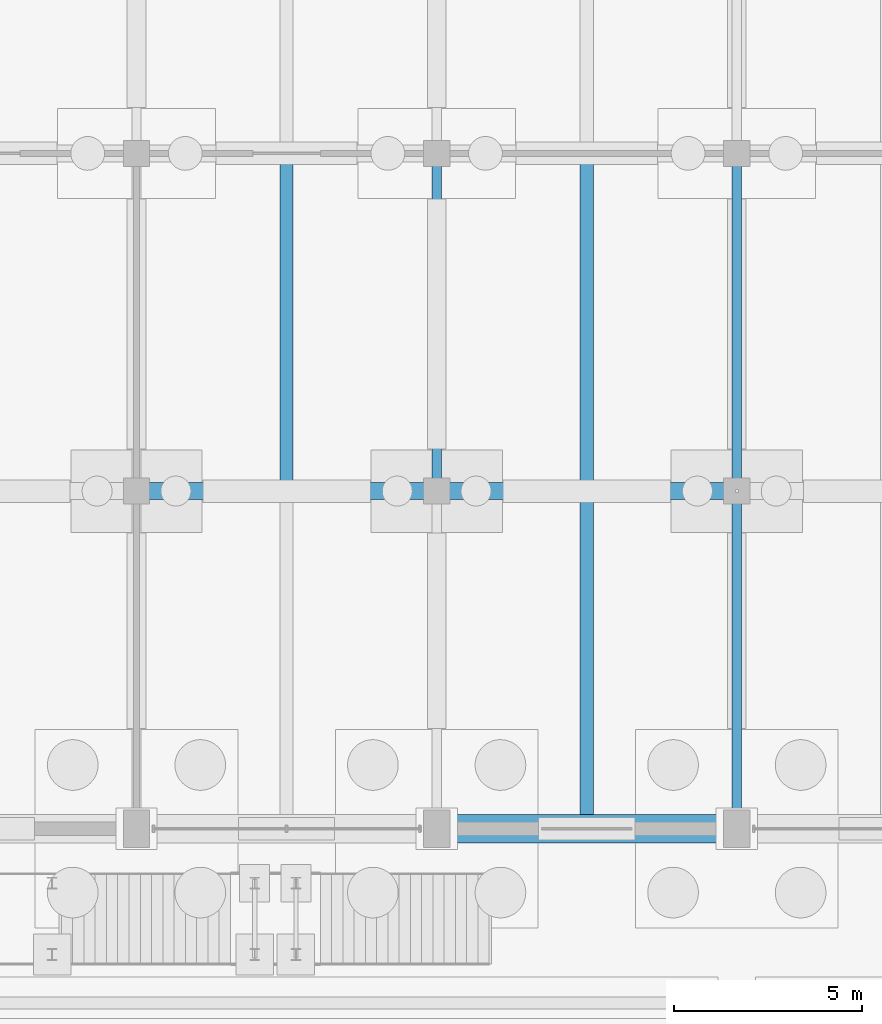
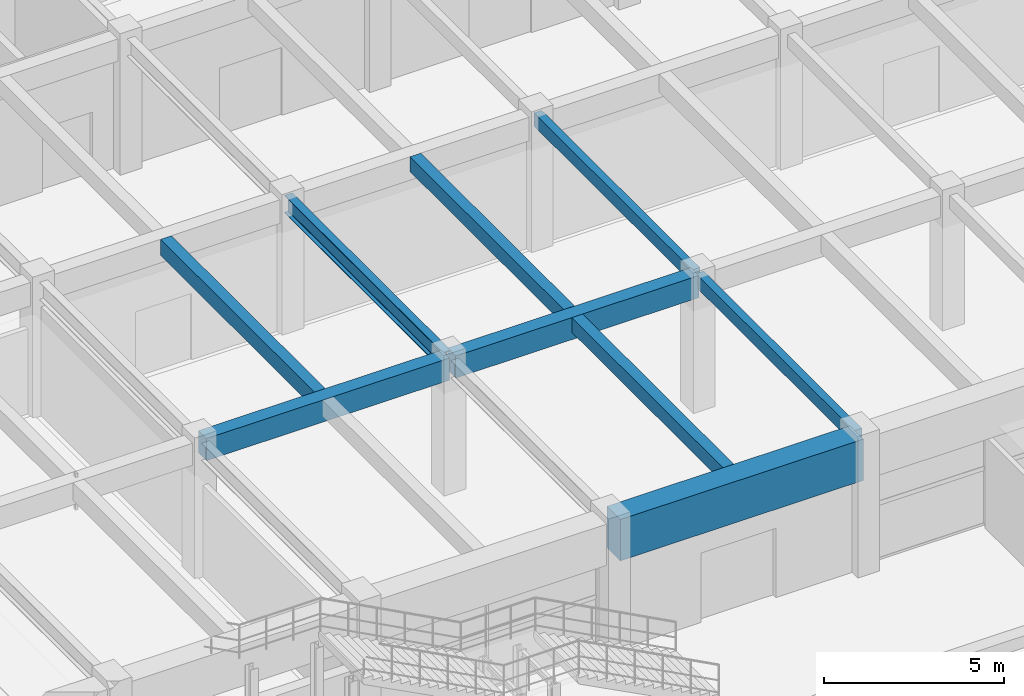
# One storey, part 88 of 147: 9 beams.
"""IFC4 building model written with IfcOpenShell, lengths in metres."""

from ifc_helpers import new_model, si_unit, direction, frame, origin, origin_2d, place, context, subcontext, project, spatial, rectangle, i_section, extrude, material, material_profile, profile_set, type_object, element, save


model = new_model("IFC4")

# Units and contexts
model_context = context("Model", 3, precision=1e-05, world=origin(), true_north=direction((0.0, 1.0)))
body_context = subcontext(model_context, "Body", "Model", "MODEL_VIEW")
ifc_project = project(units=[si_unit("LENGTHUNIT", "METRE"), si_unit("AREAUNIT", "SQUARE_METRE"), si_unit("VOLUMEUNIT", "CUBIC_METRE"), si_unit("PLANEANGLEUNIT", "RADIAN"), si_unit("MASSUNIT", "GRAM", prefix="KILO")], contexts=[model_context])

# Site, building, storey
site_placement = place(None, origin())
site = spatial("IfcSite", under=ifc_project, at=site_placement, CompositionType="ELEMENT")
building_placement = place(site_placement, origin())
building = spatial("IfcBuilding", under=site, at=building_placement, Name="Varnabhumi Central Station", CompositionType="ELEMENT")
storey_placement = place(building_placement, origin())
storey = spatial("IfcBuildingStorey", under=building, at=storey_placement, Name="L00", CompositionType="ELEMENT", Elevation=0.0)

# Beams
ifc_material_1 = material(Name="Concrete M50", Category="concrete")
ifc_material_profile_1 = material_profile(ifc_material_1, rectangle(XDim=0.75, YDim=1.39990234375, at=origin_2d()), Name="Concrete M50", Category="concrete")
ifc_profile_set_1 = profile_set([ifc_material_profile_1], Name="Concrete M50")
beam_type_1 = type_object("IfcBeamType", Name="BM-RC-1400x750", PredefinedType="BEAM", material=ifc_profile_set_1)
beam_1_placement = place(storey_placement, frame((136.10009765625, 80.0, 3.85009765625), z_axis=(1.0, 0.0, 0.0), x_axis=(0.0, 1.0, 0.0)))
element("IfcBeam", 1, at=beam_1_placement, inside=storey, type_object=beam_type_1, Name="Beam L00-K:18-19", PredefinedType="BEAM", context=body_context, shape_type="SweptSolid", body=[
    extrude(rectangle(XDim=0.75, YDim=1.39990234375, at=origin_2d()), origin(), (0.0, 0.0, 1.0), 7.7998046875),
])
ifc_material_2 = material(Name="Concrete M35", Category="concrete")
ifc_material_profile_2 = material_profile(ifc_material_2, rectangle(XDim=0.25, YDim=0.449951171875, at=origin_2d()), Name="Concrete M35", Category="concrete")
ifc_profile_set_2 = profile_set([ifc_material_profile_2], Name="Concrete M35")
beam_type_2 = type_object("IfcBeamType", Name="BM-RC-250x450", PredefinedType="LINTEL", material=ifc_profile_set_2)
for number, where, z_axis, x_axis, name in (
    (2, (144.0, 80.10009765625, 4.324951171875), (0.0, 1.0, 0.0), (-1.0, 0.0, 0.0), "Beam L00-19:K-L"),
    (3, (144.0, 89.10009765625, 4.324951171875), (0.0, 1.0, 0.0), (-1.0, 0.0, 0.0), "Beam L00-19:L-M"),
):
    element("IfcBeam", number, at=place(storey_placement, frame(where, z_axis=z_axis, x_axis=x_axis)), inside=storey, type_object=beam_type_2, Name=name, PredefinedType="LINTEL", context=body_context, shape_type="SweptSolid", body=[
        extrude(rectangle(XDim=0.25, YDim=0.449951171875, at=origin_2d()), origin(), (0.0, 0.0, 1.0), 8.7998046875),
    ])
ifc_material_3 = material(Name="Concrete M40", Category="concrete")
ifc_material_profile_3 = material_profile(ifc_material_3, rectangle(XDim=0.35009765625, YDim=0.5, at=origin_2d()), Name="Concrete M40", Category="concrete")
ifc_profile_set_3 = profile_set([ifc_material_profile_3], Name="Concrete M40")
beam_type_3 = type_object("IfcBeamType", Name="BM-RC-350x500", PredefinedType="JOIST", material=ifc_profile_set_3)
beam_2_placement = place(storey_placement, frame((140.0, 80.375, 4.300048828125), z_axis=(0.0, 1.0, 0.0), x_axis=(-1.0, 0.0, 0.0)))
element("IfcBeam", 4, at=beam_2_placement, inside=storey, type_object=beam_type_3, Name="Secondary Joist L00-18/19:K-L", PredefinedType="JOIST", context=body_context, shape_type="SweptSolid", body=[
    extrude(rectangle(XDim=0.35009765625, YDim=0.5, at=origin_2d()), origin(), (0.0, 0.0, 1.0), 8.39990234375),
])
beam_3_placement = place(storey_placement, frame((140.0, 89.22509765625, 4.300048828125), z_axis=(0.0, 1.0, 0.0), x_axis=(-1.0, 0.0, 0.0)))
element("IfcBeam", 5, at=beam_3_placement, inside=storey, type_object=beam_type_3, Name="Secondary Joist L00-18/19:L-M", PredefinedType="JOIST", context=body_context, shape_type="SweptSolid", body=[
    extrude(rectangle(XDim=0.35009765625, YDim=0.5, at=origin_2d()), origin(), (0.0, 0.0, 1.0), 8.5498046875),
])
ifc_material_profile_4 = material_profile(ifc_material_3, rectangle(XDim=0.35009765625, YDim=0.550048828125, at=origin_2d()), Name="Concrete M40", Category="concrete")
ifc_profile_set_4 = profile_set([ifc_material_profile_4], Name="Concrete M40")
beam_type_4 = type_object("IfcBeamType", Name="BM-RC-350x550", PredefinedType="JOIST", material=ifc_profile_set_4)
beam_4_placement = place(storey_placement, frame((132.0, 89.22509765625, 4.27490234375), z_axis=(0.0, 1.0, 0.0), x_axis=(-1.0, 0.0, 0.0)))
element("IfcBeam", 6, at=beam_4_placement, inside=storey, type_object=beam_type_4, Name="Secondary Joist L00-17/18:L-M", PredefinedType="JOIST", context=body_context, shape_type="SweptSolid", body=[
    extrude(rectangle(XDim=0.35009765625, YDim=0.550048828125, at=origin_2d()), origin(), (0.0, 0.0, 1.0), 8.5498046875),
])
ifc_material_profile_5 = material_profile(ifc_material_3, rectangle(XDim=0.449951171875, YDim=0.75, at=origin_2d()), Name="Concrete M40", Category="concrete")
ifc_profile_set_5 = profile_set([ifc_material_profile_5], Name="Concrete M40")
beam_type_5 = type_object("IfcBeamType", Name="BM-RC-450x750", PredefinedType="BEAM", material=ifc_profile_set_5)
for number, where, z_axis, x_axis, name in (
    (7, (128.10009765625, 89.0, 4.175048828125), (1.0, 0.0, 0.0), (0.0, 1.0, 0.0), "Beam L00-L:17-18"),
    (8, (136.10009765625, 89.0, 4.175048828125), (1.0, 0.0, 0.0), (0.0, 1.0, 0.0), "Beam L00-L:18-19"),
):
    element("IfcBeam", number, at=place(storey_placement, frame(where, z_axis=z_axis, x_axis=x_axis)), inside=storey, type_object=beam_type_5, Name=name, PredefinedType="BEAM", context=body_context, shape_type="SweptSolid", body=[
        extrude(rectangle(XDim=0.449951171875, YDim=0.75, at=origin_2d()), origin(), (0.0, 0.0, 1.0), 7.7998046875),
    ])
ifc_material_4 = material(Name="Structural steel E350", Category="steel")
ifc_material_profile_6 = material_profile(ifc_material_4, i_section(OverallWidth=0.25, OverallDepth=0.60009765625, WebThickness=0.01171875, FlangeThickness=0.023681640625, FilletRadius=0.01708984375, at=origin_2d()), Name="Structural steel E350", Category="steel")
ifc_profile_set_6 = profile_set([ifc_material_profile_6], Name="Structural steel E350")
beam_type_6 = type_object("IfcBeamType", Name="BM-SEC-ISWB600", PredefinedType="BEAM", material=ifc_profile_set_6)
beam_5_placement = place(storey_placement, frame((136.0, 89.10009765625, 4.25), z_axis=(0.0, 1.0, 0.0), x_axis=(-1.0, 0.0, 0.0)))
element("IfcBeam", 9, at=beam_5_placement, inside=storey, type_object=beam_type_6, Name="Beam L00-18:L-M", PredefinedType="BEAM", context=body_context, shape_type="SweptSolid", body=[
    extrude(i_section(OverallWidth=0.25, OverallDepth=0.60009765625, WebThickness=0.01171875, FlangeThickness=0.023681640625, FilletRadius=0.01708984375, at=origin_2d()), origin(), (0.0, 0.0, 1.0), 8.7998046875),
])

save(model, "model.ifc")
